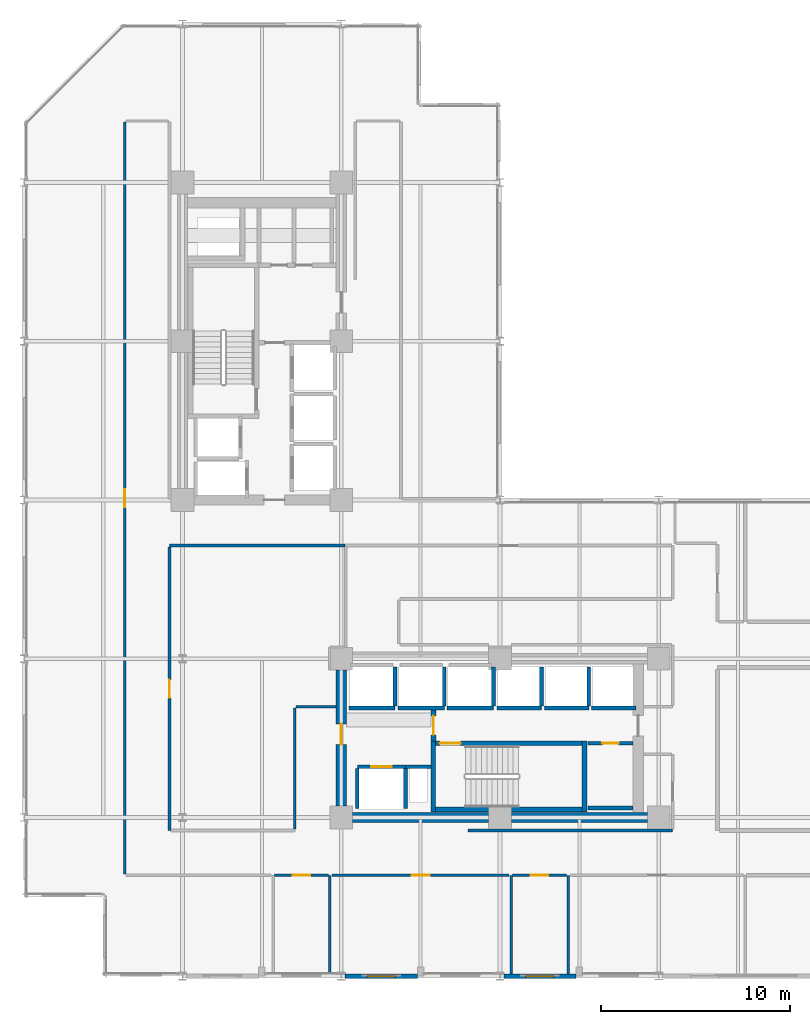
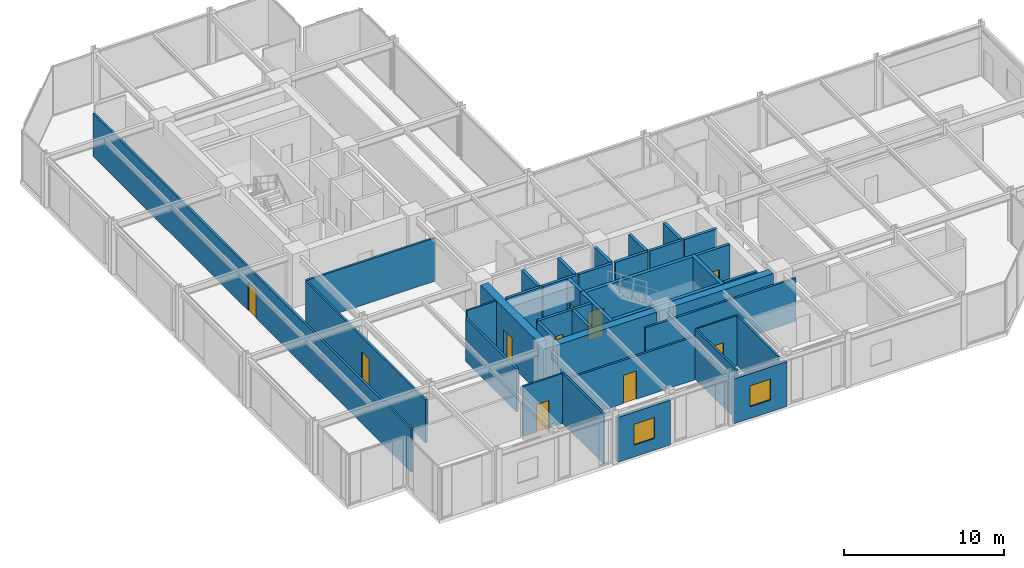
# One storey, part 32 of 38: 39 walls, 10 doors, 2 windows, 12 openings.
"""IFC4 building model written with IfcOpenShell, lengths in metres."""

import ifcopenshell
import ifcopenshell.guid

model = None  # the IFC model being written
_history = None  # IfcOwnerHistory: only IFC2X3 demands one
_inside = {}  # id of a spatial element -> (the spatial element, [elements in it])
_under = {}  # id of a project, library or spatial element -> (it, [spatial elements below it])
_declared = {}  # id of a project -> (the project, [libraries it declares])
_typed = {}  # id of a type object -> (the type object, [elements of that type])
_made_of = {}  # id of a material, layer set ... -> (it, [elements and type objects made of it])


def new_model(schema):
    """Start an empty IFC model of exactly this schema.

    Asked for "IFC4X3", IfcOpenShell would pick the latest addendum, in which some entities
    have other attributes; the version numbers below select the first issue.
    IFC2X3 requires an IfcOwnerHistory on every rooted entity: one is made here for all.
    """
    global model, _history
    if schema == "IFC4X3":
        model = ifcopenshell.file(schema_version=(4, 3, 0, 0))
    else:
        model = ifcopenshell.file(schema=schema)
    _inside.clear()
    _under.clear()
    _declared.clear()
    _typed.clear()
    _made_of.clear()
    _history = None
    if model.schema == "IFC2X3":
        org = make("IfcOrganization", Name="unknown")
        user = make(
            "IfcPersonAndOrganization",
            ThePerson=make("IfcPerson", FamilyName="unknown"),
            TheOrganization=org,
        )
        app = make(
            "IfcApplication",
            ApplicationDeveloper=org,
            Version="unknown",
            ApplicationFullName="unknown",
            ApplicationIdentifier="unknown",
        )
        _history = make(
            "IfcOwnerHistory",
            OwningUser=user,
            OwningApplication=app,
            ChangeAction="ADDED",
            CreationDate=0,
        )
    return model


def make(cls, **values):
    """One entity of the class cls with the attributes given. An attribute that is None is left unset."""
    return model.create_entity(
        cls, **{name: value for name, value in values.items() if value is not None}
    )


def rooted(cls, **values):
    """An entity with a GlobalId (a new one), such as an element, a storey or a relation."""
    return make(cls, GlobalId=ifcopenshell.guid.new(), OwnerHistory=_history, **values)


def si_unit(unit_type, name, prefix=None):
    """IfcSIUnit, for example si_unit("LENGTHUNIT", "METRE", prefix="MILLI")."""
    return make("IfcSIUnit", UnitType=unit_type, Prefix=prefix, Name=name)


def assignment(units):
    """IfcUnitAssignment: the units of a project."""
    return None if units is None else make("IfcUnitAssignment", Units=units)


def point(xyz):
    """IfcCartesianPoint."""
    return None if xyz is None else make("IfcCartesianPoint", Coordinates=xyz)


def direction(xyz):
    """IfcDirection."""
    return None if xyz is None else make("IfcDirection", DirectionRatios=xyz)


def frame(location, z_axis=None, x_axis=None):
    """IfcAxis2Placement3D, a coordinate frame: its origin and axes. An axis left out is left unset."""
    return make(
        "IfcAxis2Placement3D",
        Location=point(location),
        Axis=direction(z_axis),
        RefDirection=direction(x_axis),
    )


def frame_2d(location, x_axis=None):
    """IfcAxis2Placement2D, a coordinate frame in the plane: its origin and x axis."""
    return make(
        "IfcAxis2Placement2D", Location=point(location), RefDirection=direction(x_axis)
    )


def origin():
    """The frame at (0, 0, 0) with its axes left unset."""
    return frame((0.0, 0.0, 0.0))


def place(relative_to, where):
    """IfcLocalPlacement: puts the frame where relative to a parent placement (None: the world)."""
    return make(
        "IfcLocalPlacement", PlacementRelTo=relative_to, RelativePlacement=where
    )


def context(
    kind, dimensions, precision=None, world=None, true_north=None, identifier=None
):
    """IfcGeometricRepresentationContext, for example the 3D "Model" context."""
    return make(
        "IfcGeometricRepresentationContext",
        ContextIdentifier=identifier,
        ContextType=kind,
        CoordinateSpaceDimension=dimensions,
        Precision=precision,
        WorldCoordinateSystem=world,
        TrueNorth=true_north,
    )


def subcontext(parent, identifier, kind, view, scale=None):
    """IfcGeometricRepresentationSubContext, for example "Body" below "Model"."""
    return make(
        "IfcGeometricRepresentationSubContext",
        ContextIdentifier=identifier,
        ContextType=kind,
        ParentContext=parent,
        TargetScale=scale,
        TargetView=view,
    )


def project(units=None, contexts=None):
    """IfcProject with its units and contexts."""
    return rooted(
        "IfcProject",
        Name="project",
        RepresentationContexts=contexts,
        UnitsInContext=assignment(units),
    )


def spatial(cls, under=None, at=None, **own):
    """A site, building, storey or space (cls), placed at a placement, below another one or the project."""
    s = rooted(cls, ObjectPlacement=at, **own)
    if under is not None:
        _under.setdefault(under.id(), (under, []))[1].append(s)
    return s


def profile(cls, at=None, kind="AREA", **sizes):
    """A parametric profile (cls). Its sizes go by their IFC names, for example OverallWidth=200.0."""
    return make(cls, ProfileType=kind, Position=at, **sizes)


def rectangle(**sizes):
    """IfcRectangleProfileDef."""
    return profile("IfcRectangleProfileDef", **sizes)


def extrude(swept, where, along, depth):
    """IfcExtrudedAreaSolid: the profile swept, set in the frame where, extruded along a direction by depth."""
    return make(
        "IfcExtrudedAreaSolid",
        SweptArea=swept,
        Position=where,
        ExtrudedDirection=direction(along),
        Depth=depth,
    )


def shape(context_of_items, identifier, shape_type, items):
    """IfcShapeRepresentation: the items that make up one representation, for example the "Body"."""
    return make(
        "IfcShapeRepresentation",
        ContextOfItems=context_of_items,
        RepresentationIdentifier=identifier,
        RepresentationType=shape_type,
        Items=items,
    )


def material(Name=None, Category=None):
    """IfcMaterial."""
    return make("IfcMaterial", Name=Name, Category=Category)


def layer(
    of_material, thickness, ventilated=None, Name=None, Category=None, Priority=None
):
    """IfcMaterialLayer: one layer of a wall or slab, of a material (None: an air gap)."""
    return make(
        "IfcMaterialLayer",
        Material=of_material,
        LayerThickness=thickness,
        IsVentilated=ventilated,
        Name=Name,
        Category=Category,
        Priority=Priority,
    )


def layer_set(layers, Name=None):
    """IfcMaterialLayerSet."""
    return make("IfcMaterialLayerSet", MaterialLayers=layers, LayerSetName=Name)


def made_of(thing, what):
    """Note that an element or type object is made of a material, layer set ...; save() writes the relation."""
    if what is not None:
        _made_of.setdefault(what.id(), (what, []))[1].append(thing)
    return thing


def type_object(cls, material=None, **own):
    """A type object (cls), such as IfcWallType, which elements share."""
    return made_of(rooted(cls, **own), material)


def element(
    cls,
    number,
    at=None,
    inside=None,
    cuts=None,
    type_object=None,
    material=None,
    context=None,
    identifier="Body",
    shape_type=None,
    held_by="IfcProductDefinitionShape",
    body=None,
    shapes=None,
    **own,
):
    """One element of the class cls, such as IfcWall. Its Tag is "e" and its number.

    at: its placement. inside: the storey or other place that contains it. cuts: it is an
    opening in that element (IfcRelVoidsElement). A single representation is given by context,
    identifier, shape_type and body (its items); several are given by shapes. held_by: the class
    of the entity that holds the representations. save() writes the other relations.
    """
    e = rooted(cls, Tag="e%d" % number, ObjectPlacement=at, **own)
    if body is not None:
        shapes = [shape(context, identifier, shape_type, body)]
    if shapes is not None:
        e.Representation = make(held_by, Representations=shapes)
    if inside is not None:
        _inside.setdefault(inside.id(), (inside, []))[1].append(e)
    if cuts is not None:
        rooted(
            "IfcRelVoidsElement", RelatingBuildingElement=cuts, RelatedOpeningElement=e
        )
    if type_object is not None:
        _typed.setdefault(type_object.id(), (type_object, []))[1].append(e)
    return made_of(e, material)


def fill(opening, filler):
    """IfcRelFillsElement: the door or window that sits in an opening."""
    return rooted(
        "IfcRelFillsElement",
        RelatingOpeningElement=opening,
        RelatedBuildingElement=filler,
    )


def aggregate(whole, parts):
    """IfcRelAggregates: a whole, such as a stair, and the parts it consists of."""
    return rooted("IfcRelAggregates", RelatingObject=whole, RelatedObjects=parts)


def save(model, path):
    """Write the relations noted so far, then the file.

    IfcRelAggregates (storeys below a building ...), IfcRelContainedInSpatialStructure (elements
    in a storey), IfcRelDefinesByType, IfcRelAssociatesMaterial and IfcRelDeclares: one each for
    every whole, place, type object, material and project.
    """
    for whole, parts in _under.values():
        aggregate(whole, parts)
    for where, things in _inside.values():
        rooted(
            "IfcRelContainedInSpatialStructure",
            RelatedElements=things,
            RelatingStructure=where,
        )
    for kind, things in _typed.values():
        rooted("IfcRelDefinesByType", RelatedObjects=things, RelatingType=kind)
    for what, things in _made_of.values():
        rooted("IfcRelAssociatesMaterial", RelatedObjects=things, RelatingMaterial=what)
    for by, libraries in _declared.values():
        rooted("IfcRelDeclares", RelatingContext=by, RelatedDefinitions=libraries)
    model.write(path)


model = new_model("IFC4")

# Units and contexts
model_context = context("Model", 3, precision=1e-05, world=origin(), true_north=direction((0.0, 1.0)))
body_context = subcontext(model_context, "Body", "Model", "MODEL_VIEW")
ifc_project = project(units=[si_unit("LENGTHUNIT", "METRE"), si_unit("AREAUNIT", "SQUARE_METRE"), si_unit("VOLUMEUNIT", "CUBIC_METRE"), si_unit("PLANEANGLEUNIT", "RADIAN"), si_unit("MASSUNIT", "GRAM", prefix="KILO")], contexts=[model_context])

# Site, building, storey
site_placement = place(None, origin())
site = spatial("IfcSite", under=ifc_project, at=site_placement, CompositionType="ELEMENT")
building_placement = place(site_placement, origin())
building = spatial("IfcBuilding", under=site, at=building_placement, Name="Nerrivon Quay Data Exchange", CompositionType="ELEMENT")
storey_placement = place(building_placement, frame((0.0, 0.0, 84.39990234375)))
storey = spatial("IfcBuildingStorey", under=building, at=storey_placement, Name="L19", CompositionType="ELEMENT", Elevation=84.39990234375)

# Wall, opening, window
ifc_material_1 = material(Name="Architectural terracotta precast concrete N50 (50 MPa)", Category="masonry")
ifc_layer_1 = layer(ifc_material_1, 0.239990234375)
ifc_layer_set_1 = layer_set([ifc_layer_1], Name="Architectural terracotta precast concrete N50 (50 MPa)")
wall_type_1 = type_object("IfcWallType", Name="EW-PREC-240", PredefinedType="STANDARD", material=ifc_layer_set_1)
wall_1_placement = place(storey_placement, frame((29.22509765625, 0.0, 0.0), z_axis=(0.0, 0.0, 1.0), x_axis=(-1.0, 0.0, 0.0)))
wall_1 = element("IfcWall", 1, at=wall_1_placement, inside=storey, type_object=wall_type_1, Name="L19 Podium Precast Spandrel Wall 9", PredefinedType="STANDARD", context=body_context, shape_type="SweptSolid", body=[
    extrude(rectangle(XDim=3.8251953125, YDim=0.239990234375, at=frame_2d((1.91259765625, 0.0))), origin(), (0.0, 0.0, 1.0), 3.422119140625),
])
opening_1_placement = place(wall_1_placement, frame((1.175048828125, 0.0, 0.89990234375)))
opening_1 = element("IfcOpeningElement", 2, at=opening_1_placement, cuts=wall_1, Name="Opening WN4", PredefinedType="OPENING", context=body_context, shape_type="SweptSolid", body=[
    extrude(rectangle(XDim=1.5, YDim=1.60009765625, at=frame_2d((0.75, 0.800048828125))), frame((0.0, 0.1298828125, 0.0), z_axis=(0.0, -1.0, 0.0), x_axis=(1.0, 0.0, 0.0)), (0.0, 0.0, 1.0), 0.260009765625),
])
ifc_material_2 = material(Name="Double-glazed low-E solar control glass", Category="glass")
window_type = type_object("IfcWindowType", Name="WIN-W4-1500x1600", PartitioningType="SINGLE_PANEL", PredefinedType="WINDOW", material=ifc_material_2)
window_1_placement = place(opening_1_placement, origin())
window_1 = element("IfcWindow", 3, at=window_1_placement, inside=storey, type_object=window_type, Name="L19 Solar Facade Window 9", OverallHeight=1.60009765625, OverallWidth=1.5, PartitioningType="SINGLE_PANEL", PredefinedType="WINDOW", context=body_context, shape_type="SweptSolid", body=[
    extrude(rectangle(XDim=1.5, YDim=1.60009765625, at=frame_2d((0.75, 0.800048828125))), frame((0.0, 0.030029296875, 0.0), z_axis=(0.0, -1.0, 0.0), x_axis=(1.0, 0.0, 0.0)), (0.0, 0.0, 1.0), 0.06005859375),
])
fill(opening_1, window_1)

wall_2_placement = place(storey_placement, frame((20.824951171875, 0.0, 0.0), z_axis=(0.0, 0.0, 1.0), x_axis=(-1.0, 0.0, 0.0)))
wall_2 = element("IfcWall", 4, at=wall_2_placement, inside=storey, type_object=wall_type_1, Name="L19 Podium Precast Spandrel Wall 11", PredefinedType="STANDARD", context=body_context, shape_type="SweptSolid", body=[
    extrude(rectangle(XDim=3.824951171875, YDim=0.239990234375, at=frame_2d((1.91259765625, 0.0))), origin(), (0.0, 0.0, 1.0), 3.422119140625),
])
opening_2_placement = place(wall_2_placement, frame((1.16259765625, 0.0, 0.89990234375)))
opening_2 = element("IfcOpeningElement", 5, at=opening_2_placement, cuts=wall_2, Name="Opening WN4", PredefinedType="OPENING", context=body_context, shape_type="SweptSolid", body=[
    extrude(rectangle(XDim=1.5, YDim=1.60009765625, at=frame_2d((0.75, 0.800048828125))), frame((0.0, 0.1298828125, 0.0), z_axis=(0.0, -1.0, 0.0), x_axis=(1.0, 0.0, 0.0)), (0.0, 0.0, 1.0), 0.260009765625),
])
window_2_placement = place(opening_2_placement, origin())
window_2 = element("IfcWindow", 6, at=window_2_placement, inside=storey, type_object=window_type, Name="L19 Solar Facade Window 11", OverallHeight=1.60009765625, OverallWidth=1.5, PartitioningType="SINGLE_PANEL", PredefinedType="WINDOW", context=body_context, shape_type="SweptSolid", body=[
    extrude(rectangle(XDim=1.5, YDim=1.60009765625, at=frame_2d((0.75, 0.800048828125))), frame((0.0, 0.030029296875, 0.0), z_axis=(0.0, -1.0, 0.0), x_axis=(1.0, 0.0, 0.0)), (0.0, 0.0, 1.0), 0.06005859375),
])
fill(opening_2, window_2)

# Walls
ifc_material_3 = material(Name="Concrete S65 (65 MPa)", Category="concrete")
ifc_layer_2 = layer(ifc_material_3, 0.550048828125)
ifc_layer_set_2 = layer_set([ifc_layer_2], Name="Concrete S65 (65 MPa)")
wall_type_2 = type_object("IfcWallType", Name="WALL-CW-700", PredefinedType="SHEAR", material=ifc_layer_set_2)
wall_3_placement = place(storey_placement, frame((17.39990234375, 8.39990234375, 0.0), z_axis=(0.0, 0.0, 1.0), x_axis=(1.0, 0.0, 0.0)))
element("IfcWall", 7, at=wall_3_placement, inside=storey, type_object=wall_type_2, Name="L19 East Split-Core Shear Wall ECW-S1", PredefinedType="SHEAR", context=body_context, shape_type="SweptSolid", body=[
    extrude(rectangle(XDim=7.2001953125, YDim=0.550048828125, at=frame_2d((3.60009765625, 0.0))), origin(), (0.0, 0.0, 1.0), 3.8251953125),
])
wall_4_placement = place(storey_placement, frame((25.800048828125, 8.39990234375, 0.0), z_axis=(0.0, 0.0, 1.0), x_axis=(1.0, 0.0, 0.0)))
element("IfcWall", 8, at=wall_4_placement, inside=storey, type_object=wall_type_2, Name="L19 East Split-Core Shear Wall ECW-S2", PredefinedType="SHEAR", context=body_context, shape_type="SweptSolid", body=[
    extrude(rectangle(XDim=7.199951171875, YDim=0.550048828125, at=frame_2d((3.60009765625, 0.0))), origin(), (0.0, 0.0, 1.0), 3.8251953125),
])

# Wall, opening, door
wall_5_placement = place(storey_placement, frame((16.800048828125, 9.0, 0.0), z_axis=(0.0, 0.0, 1.0), x_axis=(0.0, 1.0, 0.0)))
wall_5 = element("IfcWall", 9, at=wall_5_placement, inside=storey, type_object=wall_type_2, Name="L19 East Split-Core Shear Wall ECW-W1", PredefinedType="SHEAR", context=body_context, shape_type="SweptSolid", body=[
    extrude(rectangle(XDim=7.199951171875, YDim=0.550048828125, at=frame_2d((3.60009765625, 0.0))), origin(), (0.0, 0.0, 1.0), 3.8251953125),
])
opening_3_placement = place(wall_5_placement, frame((3.25, 0.0, 0.0)))
opening_3 = element("IfcOpeningElement", 10, at=opening_3_placement, cuts=wall_5, Name="Opening FD-120", PredefinedType="OPENING", context=body_context, shape_type="SweptSolid", body=[
    extrude(rectangle(XDim=1.10009765625, YDim=2.14990234375, at=frame_2d((0.550048828125, 1.074951171875))), frame((0.0, 0.284912109375, 0.0), z_axis=(0.0, -1.0, 0.0), x_axis=(1.0, 0.0, 0.0)), (0.0, 0.0, 1.0), 0.570068359375),
])
ifc_material_4 = material(Name="Powder-coated galvanized steel sheet", Category="steel")
door_type_1 = type_object("IfcDoorType", Name="DR-FD120-1100", OperationType="NOTDEFINED", PredefinedType="DOOR", material=ifc_material_4)
door_1_placement = place(opening_3_placement, origin())
door_1 = element("IfcDoor", 11, at=door_1_placement, inside=storey, type_object=door_type_1, Name="L19 East Core Lobby Fire Door", OperationType="SINGLE_SWING_LEFT", OverallHeight=2.14990234375, OverallWidth=1.10009765625, PredefinedType="DOOR", context=body_context, shape_type="SweptSolid", body=[
    extrude(rectangle(XDim=1.10009765625, YDim=2.14990234375, at=frame_2d((0.550048828125, 1.074951171875))), frame((0.0, 0.02490234375, 0.0), z_axis=(0.0, -1.0, 0.0), x_axis=(1.0, 0.0, 0.0)), (0.0, 0.0, 1.0), 0.050048828125),
])
fill(opening_3, door_1)

# Wall
ifc_material_5 = material(Name="Gypsum plasterboard on cold-formed framing", Category="gypsum")
ifc_layer_3 = layer(ifc_material_5, 0.199951171875)
ifc_layer_set_3 = layer_set([ifc_layer_3], Name="Gypsum plasterboard on cold-formed framing")
wall_type_3 = type_object("IfcWallType", Name="WALL-FW-200", PredefinedType="PARTITIONING", material=ifc_layer_set_3)
wall_6_placement = place(storey_placement, frame((20.199951171875, 11.080078125, 0.0), z_axis=(0.0, 0.0, 1.0), x_axis=(1.0, 0.0, 0.0)))
element("IfcWall", 12, at=wall_6_placement, inside=storey, type_object=wall_type_3, Name="L19 East Core MEP Riser Shaft Wall N", PredefinedType="PARTITIONING", context=body_context, shape_type="SweptSolid", body=[
    extrude(rectangle(XDim=1.35009765625, YDim=0.199951171875, at=frame_2d((0.675048828125, 0.0))), origin(), (0.0, 0.0, 1.0), 3.8251953125),
])

# Wall, opening, door
wall_7_placement = place(storey_placement, frame((17.64990234375, 11.080078125, 0.0), z_axis=(0.0, 0.0, 1.0), x_axis=(1.0, 0.0, 0.0)))
wall_7 = element("IfcWall", 13, at=wall_7_placement, inside=storey, type_object=wall_type_3, Name="L19 Lift Front Wall FFL-2", PredefinedType="PARTITIONING", context=body_context, shape_type="SweptSolid", body=[
    extrude(rectangle(XDim=2.550048828125, YDim=0.199951171875, at=frame_2d((1.27490234375, 0.0))), origin(), (0.0, 0.0, 1.0), 3.8251953125),
])
opening_4_placement = place(wall_7_placement, frame((0.72509765625, 0.0, 0.0)))
opening_4 = element("IfcOpeningElement", 14, at=opening_4_placement, cuts=wall_7, Name="Opening LD-120", PredefinedType="OPENING", context=body_context, shape_type="SweptSolid", body=[
    extrude(rectangle(XDim=1.10009765625, YDim=2.199951171875, at=frame_2d((0.550048828125, 1.10009765625))), frame((0.0, 0.10986328125, 0.0), z_axis=(0.0, -1.0, 0.0), x_axis=(1.0, 0.0, 0.0)), (0.0, 0.0, 1.0), 0.219970703125),
])
door_type_2 = type_object("IfcDoorType", Name="DR-LIFT-LD120", OperationType="DOUBLE_DOOR_SLIDING", PredefinedType="DOOR", material=ifc_material_4)
door_2_placement = place(opening_4_placement, origin())
door_2 = element("IfcDoor", 15, at=door_2_placement, inside=storey, type_object=door_type_2, Name="L19 Lift Landing Sliding Door FFL-2", OperationType="DOUBLE_DOOR_SLIDING", OverallHeight=2.199951171875, OverallWidth=1.10009765625, PredefinedType="DOOR", context=body_context, shape_type="SweptSolid", body=[
    extrude(rectangle(XDim=1.10009765625, YDim=2.199951171875, at=frame_2d((0.550048828125, 1.10009765625))), frame((0.0, 0.02490234375, 0.0), z_axis=(0.0, -1.0, 0.0), x_axis=(1.0, 0.0, 0.0)), (0.0, 0.0, 1.0), 0.050048828125),
])
fill(opening_4, door_2)

# Walls
for number, where, z_axis, x_axis, name in (
    (16, (20.199951171875, 8.8798828125, 0.0), (0.0, 0.0, 1.0), (0.0, 1.0, 0.0), "L19 Lift Shaft Wall FFL-2 EAST"),
    (17, (17.64990234375, 8.8798828125, 0.0), (0.0, 0.0, 1.0), (0.0, 1.0, 0.0), "L19 Lift Shaft Wall FFL-2 WEST"),
):
    element("IfcWall", number, at=place(storey_placement, frame(where, z_axis=z_axis, x_axis=x_axis)), inside=storey, type_object=wall_type_3, Name=name, PredefinedType="PARTITIONING", context=body_context, shape_type="SweptSolid", body=[
        extrude(rectangle(XDim=2.10009765625, YDim=0.199951171875, at=frame_2d((1.050048828125, 0.0))), origin(), (0.0, 0.0, 1.0), 3.8251953125),
    ])
wall_8_placement = place(storey_placement, frame((17.199951171875, 14.199951171875, 0.0), z_axis=(0.0, 0.0, 1.0), x_axis=(1.0, 0.0, 0.0)))
element("IfcWall", 18, at=wall_8_placement, inside=storey, type_object=wall_type_3, Name="L19 Lift Front Wall PL4", PredefinedType="PARTITIONING", context=body_context, shape_type="SweptSolid", body=[
    extrude(rectangle(XDim=2.449951171875, YDim=0.199951171875, at=frame_2d((1.22509765625, 0.0))), origin(), (0.0, 0.0, 1.0), 3.8251953125),
])
wall_9_placement = place(storey_placement, frame((19.64990234375, 14.300048828125, 0.0), z_axis=(0.0, 0.0, 1.0), x_axis=(0.0, 1.0, 0.0)))
element("IfcWall", 19, at=wall_9_placement, inside=storey, type_object=wall_type_3, Name="L19 Lift Shaft Wall PL4 EAST", PredefinedType="PARTITIONING", context=body_context, shape_type="SweptSolid", body=[
    extrude(rectangle(XDim=2.050048828125, YDim=0.199951171875, at=frame_2d((1.02490234375, 0.0))), origin(), (0.0, 0.0, 1.0), 3.8251953125),
])
wall_10_placement = place(storey_placement, frame((19.800048828125, 14.199951171875, 0.0), z_axis=(0.0, 0.0, 1.0), x_axis=(1.0, 0.0, 0.0)))
element("IfcWall", 20, at=wall_10_placement, inside=storey, type_object=wall_type_3, Name="L19 Lift Front Wall PL5", PredefinedType="PARTITIONING", context=body_context, shape_type="SweptSolid", body=[
    extrude(rectangle(XDim=2.449951171875, YDim=0.199951171875, at=frame_2d((1.22509765625, 0.0))), origin(), (0.0, 0.0, 1.0), 3.8251953125),
])
wall_11_placement = place(storey_placement, frame((22.25, 14.300048828125, 0.0), z_axis=(0.0, 0.0, 1.0), x_axis=(0.0, 1.0, 0.0)))
element("IfcWall", 21, at=wall_11_placement, inside=storey, type_object=wall_type_3, Name="L19 Lift Shaft Wall PL5 EAST", PredefinedType="PARTITIONING", context=body_context, shape_type="SweptSolid", body=[
    extrude(rectangle(XDim=2.050048828125, YDim=0.199951171875, at=frame_2d((1.02490234375, 0.0))), origin(), (0.0, 0.0, 1.0), 3.8251953125),
])
wall_12_placement = place(storey_placement, frame((22.39990234375, 14.199951171875, 0.0), z_axis=(0.0, 0.0, 1.0), x_axis=(1.0, 0.0, 0.0)))
element("IfcWall", 22, at=wall_12_placement, inside=storey, type_object=wall_type_3, Name="L19 Lift Front Wall PL6", PredefinedType="PARTITIONING", context=body_context, shape_type="SweptSolid", body=[
    extrude(rectangle(XDim=2.4501953125, YDim=0.199951171875, at=frame_2d((1.22509765625, 0.0))), origin(), (0.0, 0.0, 1.0), 3.8251953125),
])
wall_13_placement = place(storey_placement, frame((24.85009765625, 14.300048828125, 0.0), z_axis=(0.0, 0.0, 1.0), x_axis=(0.0, 1.0, 0.0)))
element("IfcWall", 23, at=wall_13_placement, inside=storey, type_object=wall_type_3, Name="L19 Lift Shaft Wall PL6 EAST", PredefinedType="PARTITIONING", context=body_context, shape_type="SweptSolid", body=[
    extrude(rectangle(XDim=2.050048828125, YDim=0.199951171875, at=frame_2d((1.02490234375, 0.0))), origin(), (0.0, 0.0, 1.0), 3.8251953125),
])
wall_14_placement = place(storey_placement, frame((25.050048828125, 14.199951171875, 0.0), z_axis=(0.0, 0.0, 1.0), x_axis=(1.0, 0.0, 0.0)))
element("IfcWall", 24, at=wall_14_placement, inside=storey, type_object=wall_type_3, Name="L19 Lift Front Wall PL7", PredefinedType="PARTITIONING", context=body_context, shape_type="SweptSolid", body=[
    extrude(rectangle(XDim=2.349853515625, YDim=0.199951171875, at=frame_2d((1.1748046875, 0.0))), origin(), (0.0, 0.0, 1.0), 3.8251953125),
])
wall_15_placement = place(storey_placement, frame((27.39990234375, 14.300048828125, 0.0), z_axis=(0.0, 0.0, 1.0), x_axis=(0.0, 1.0, 0.0)))
element("IfcWall", 25, at=wall_15_placement, inside=storey, type_object=wall_type_3, Name="L19 Lift Shaft Wall PL7 EAST", PredefinedType="PARTITIONING", context=body_context, shape_type="SweptSolid", body=[
    extrude(rectangle(XDim=2.050048828125, YDim=0.199951171875, at=frame_2d((1.02490234375, 0.0))), origin(), (0.0, 0.0, 1.0), 3.8251953125),
])
wall_16_placement = place(storey_placement, frame((27.550048828125, 14.199951171875, 0.0), z_axis=(0.0, 0.0, 1.0), x_axis=(1.0, 0.0, 0.0)))
element("IfcWall", 26, at=wall_16_placement, inside=storey, type_object=wall_type_3, Name="L19 Lift Front Wall PL8", PredefinedType="PARTITIONING", context=body_context, shape_type="SweptSolid", body=[
    extrude(rectangle(XDim=2.349853515625, YDim=0.199951171875, at=frame_2d((1.1748046875, 0.0))), origin(), (0.0, 0.0, 1.0), 3.8251953125),
])
wall_17_placement = place(storey_placement, frame((29.89990234375, 14.300048828125, 0.0), z_axis=(0.0, 0.0, 1.0), x_axis=(0.0, 1.0, 0.0)))
element("IfcWall", 27, at=wall_17_placement, inside=storey, type_object=wall_type_3, Name="L19 Lift Shaft Wall PL8 EAST", PredefinedType="PARTITIONING", context=body_context, shape_type="SweptSolid", body=[
    extrude(rectangle(XDim=2.050048828125, YDim=0.199951171875, at=frame_2d((1.02490234375, 0.0))), origin(), (0.0, 0.0, 1.0), 3.8251953125),
])
wall_18_placement = place(storey_placement, frame((30.050048828125, 14.199951171875, 0.0), z_axis=(0.0, 0.0, 1.0), x_axis=(1.0, 0.0, 0.0)))
element("IfcWall", 28, at=wall_18_placement, inside=storey, type_object=wall_type_3, Name="L19 Lift Front Wall PL9", PredefinedType="PARTITIONING", context=body_context, shape_type="SweptSolid", body=[
    extrude(rectangle(XDim=2.349853515625, YDim=0.199951171875, at=frame_2d((1.1748046875, 0.0))), origin(), (0.0, 0.0, 1.0), 3.8251953125),
])

# Wall, opening, door
wall_19_placement = place(storey_placement, frame((32.24609375, 12.330078125, 0.0), z_axis=(0.0, 0.0, 1.0), x_axis=(-1.0, 0.0, 0.0)))
wall_19 = element("IfcWall", 29, at=wall_19_placement, inside=storey, type_object=wall_type_3, Name="L19 Partition East Supply Store", PredefinedType="PARTITIONING", context=body_context, shape_type="SweptSolid", body=[
    extrude(rectangle(XDim=2.39599609375, YDim=0.199951171875, at=frame_2d((1.197998046875, 0.0))), origin(), (0.0, 0.0, 1.0), 3.8251953125),
])
opening_5_placement = place(wall_19_placement, frame((0.77294921875, 0.0, 0.0)))
opening_5 = element("IfcOpeningElement", 30, at=opening_5_placement, cuts=wall_19, Name="Opening FD-60S", PredefinedType="OPENING", context=body_context, shape_type="SweptSolid", body=[
    extrude(rectangle(XDim=0.85009765625, YDim=2.14990234375, at=frame_2d((0.425048828125, 1.074951171875))), frame((0.0, 0.10986328125, 0.0), z_axis=(0.0, -1.0, 0.0), x_axis=(1.0, 0.0, 0.0)), (0.0, 0.0, 1.0), 0.219970703125),
])
ifc_material_6 = material(Name="Engineered hardwood timber", Category="wood")
door_type_3 = type_object("IfcDoorType", Name="DR-FD60-850", OperationType="NOTDEFINED", PredefinedType="DOOR", material=ifc_material_6)
door_3_placement = place(opening_5_placement, origin())
door_3 = element("IfcDoor", 31, at=door_3_placement, inside=storey, type_object=door_type_3, Name="L19 Door East Supply Store", OperationType="SINGLE_SWING_RIGHT", OverallHeight=2.14990234375, OverallWidth=0.85009765625, PredefinedType="DOOR", context=body_context, shape_type="SweptSolid", body=[
    extrude(rectangle(XDim=0.85009765625, YDim=2.14990234375, at=frame_2d((0.425048828125, 1.074951171875))), frame((0.0, 0.02490234375, 0.0), z_axis=(0.0, -1.0, 0.0), x_axis=(1.0, 0.0, 0.0)), (0.0, 0.0, 1.0), 0.050048828125),
])
fill(opening_5, door_3)

# Wall
wall_20_placement = place(storey_placement, frame((29.85009765625, 8.89990234375, 0.0), z_axis=(0.0, 0.0, 1.0), x_axis=(1.0, 0.0, 0.0)))
element("IfcWall", 32, at=wall_20_placement, inside=storey, type_object=wall_type_3, Name="L19 Partition East Supply Store", PredefinedType="PARTITIONING", context=body_context, shape_type="SweptSolid", body=[
    extrude(rectangle(XDim=2.39599609375, YDim=0.199951171875, at=frame_2d((1.197998046875, 0.0))), origin(), (0.0, 0.0, 1.0), 3.8251953125),
])

# Wall, opening, door
ifc_layer_4 = layer(ifc_material_5, 0.1201171875)
ifc_layer_set_4 = layer_set([ifc_layer_4], Name="Gypsum plasterboard on cold-formed framing")
wall_type_4 = type_object("IfcWallType", Name="WALL-PT-120", PredefinedType="PARTITIONING", material=ifc_layer_set_4)
wall_21_placement = place(storey_placement, frame((16.12841796875, 5.340087890625, 0.0), z_axis=(0.0, 0.0, 1.0), x_axis=(-1.0, 0.0, 0.0)))
wall_21 = element("IfcWall", 33, at=wall_21_placement, inside=storey, type_object=wall_type_4, Name="L19 Partition Accessible Toilet", PredefinedType="PARTITIONING", context=body_context, shape_type="SweptSolid", body=[
    extrude(rectangle(XDim=2.85693359375, YDim=0.1201171875, at=frame_2d((1.428466796875, 0.0))), origin(), (0.0, 0.0, 1.0), 3.8251953125),
])
opening_6_placement = place(wall_21_placement, frame((0.968505859375, 0.0, 0.0)))
opening_6 = element("IfcOpeningElement", 34, at=opening_6_placement, cuts=wall_21, Name="Opening D-WC", PredefinedType="OPENING", context=body_context, shape_type="SweptSolid", body=[
    extrude(rectangle(XDim=0.919921875, YDim=2.10009765625, at=frame_2d((0.4599609375, 1.050048828125))), frame((0.0, 0.070068359375, 0.0), z_axis=(0.0, -1.0, 0.0), x_axis=(1.0, 0.0, 0.0)), (0.0, 0.0, 1.0), 0.14013671875),
])
door_type_4 = type_object("IfcDoorType", Name="DR-WC-920", OperationType="NOTDEFINED", PredefinedType="DOOR", material=ifc_material_6)
door_4_placement = place(opening_6_placement, origin())
door_4 = element("IfcDoor", 35, at=door_4_placement, inside=storey, type_object=door_type_4, Name="L19 Door Accessible Toilet", OperationType="SINGLE_SWING_LEFT", OverallHeight=2.10009765625, OverallWidth=0.919921875, PredefinedType="DOOR", context=body_context, shape_type="SweptSolid", body=[
    extrude(rectangle(XDim=0.919921875, YDim=2.10009765625, at=frame_2d((0.4599609375, 1.050048828125))), frame((0.0, 0.02490234375, 0.0), z_axis=(0.0, -1.0, 0.0), x_axis=(1.0, 0.0, 0.0)), (0.0, 0.0, 1.0), 0.050048828125),
])
fill(opening_6, door_4)

wall_22_placement = place(storey_placement, frame((28.728515625, 5.340087890625, 0.0), z_axis=(0.0, 0.0, 1.0), x_axis=(-1.0, 0.0, 0.0)))
wall_22 = element("IfcWall", 36, at=wall_22_placement, inside=storey, type_object=wall_type_4, Name="L19 Partition Public Washrooms", PredefinedType="PARTITIONING", context=body_context, shape_type="SweptSolid", body=[
    extrude(rectangle(XDim=2.85693359375, YDim=0.1201171875, at=frame_2d((1.428466796875, 0.0))), origin(), (0.0, 0.0, 1.0), 3.8251953125),
])
opening_7_placement = place(wall_22_placement, frame((0.968505859375, 0.0, 0.0)))
opening_7 = element("IfcOpeningElement", 37, at=opening_7_placement, cuts=wall_22, Name="Opening D-WC", PredefinedType="OPENING", context=body_context, shape_type="SweptSolid", body=[
    extrude(rectangle(XDim=0.919921875, YDim=2.10009765625, at=frame_2d((0.4599609375, 1.050048828125))), frame((0.0, 0.070068359375, 0.0), z_axis=(0.0, -1.0, 0.0), x_axis=(1.0, 0.0, 0.0)), (0.0, 0.0, 1.0), 0.14013671875),
])
door_5_placement = place(opening_7_placement, origin())
door_5 = element("IfcDoor", 38, at=door_5_placement, inside=storey, type_object=door_type_4, Name="L19 Door Public Washrooms", OperationType="SINGLE_SWING_RIGHT", OverallHeight=2.10009765625, OverallWidth=0.919921875, PredefinedType="DOOR", context=body_context, shape_type="SweptSolid", body=[
    extrude(rectangle(XDim=0.919921875, YDim=2.10009765625, at=frame_2d((0.4599609375, 1.050048828125))), frame((0.0, 0.02490234375, 0.0), z_axis=(0.0, -1.0, 0.0), x_axis=(1.0, 0.0, 0.0)), (0.0, 0.0, 1.0), 0.050048828125),
])
fill(opening_7, door_5)

# Walls
wall_23_placement = place(storey_placement, frame((14.39990234375, 14.260009765625, 0.0), z_axis=(0.0, 0.0, 1.0), x_axis=(1.0, 0.0, 0.0)))
element("IfcWall", 39, at=wall_23_placement, inside=storey, type_object=wall_type_4, Name="L19 Partition Cloud Compute Workspace 1", PredefinedType="PARTITIONING", context=body_context, shape_type="SweptSolid", body=[
    extrude(rectangle(XDim=2.12109375, YDim=0.1201171875, at=frame_2d((1.060546875, 0.0))), origin(), (0.0, 0.0, 1.0), 3.8251953125),
])
ifc_layer_5 = layer(ifc_material_5, 0.135009765625)
ifc_layer_set_5 = layer_set([ifc_layer_5], Name="Gypsum plasterboard on cold-formed framing")
wall_type_5 = type_object("IfcWallType", Name="WALL-PT-135", PredefinedType="PARTITIONING", material=ifc_layer_set_5)
wall_24_placement = place(storey_placement, frame((16.199951171875, 0.1689453125, 0.0), z_axis=(0.0, 0.0, 1.0), x_axis=(0.0, 1.0, 0.0)))
element("IfcWall", 40, at=wall_24_placement, inside=storey, type_object=wall_type_5, Name="L19 Partition Accessible Toilet", PredefinedType="PARTITIONING", context=body_context, shape_type="SweptSolid", body=[
    extrude(rectangle(XDim=5.171142578125, YDim=0.135009765625, at=frame_2d((2.58544921875, 0.0))), origin(), (0.0, 0.0, 1.0), 3.8251953125),
])
for number, where, z_axis, x_axis, name in (
    (41, (25.800048828125, 5.340087890625, 0.0), (0.0, 0.0, 1.0), (0.0, -1.0, 0.0), "L19 Partition Public Washrooms"),
    (42, (28.800048828125, 0.1240234375, 0.0), (0.0, 0.0, 1.0), (0.0, 1.0, 0.0), "L19 Partition Public Washrooms"),
):
    element("IfcWall", number, at=place(storey_placement, frame(where, z_axis=z_axis, x_axis=x_axis)), inside=storey, type_object=wall_type_5, Name=name, PredefinedType="PARTITIONING", context=body_context, shape_type="SweptSolid", body=[
        extrude(rectangle(XDim=5.216064453125, YDim=0.135009765625, at=frame_2d((2.60791015625, 0.0))), origin(), (0.0, 0.0, 1.0), 3.8251953125),
    ])
ifc_layer_6 = layer(ifc_material_5, 0.14990234375)
ifc_layer_set_6 = layer_set([ifc_layer_6], Name="Gypsum plasterboard on cold-formed framing")
wall_type_6 = type_object("IfcWallType", Name="WALL-PT-150", PredefinedType="PARTITIONING", material=ifc_layer_set_6)
wall_25_placement = place(storey_placement, frame((23.50244140625, 7.7099609375, 0.0), z_axis=(0.0, 0.0, 1.0), x_axis=(1.0, 0.0, 0.0)))
element("IfcWall", 43, at=wall_25_placement, inside=storey, type_object=wall_type_6, Name="L19 Partition Staff Pantry", PredefinedType="PARTITIONING", context=body_context, shape_type="SweptSolid", body=[
    extrude(rectangle(XDim=10.837646484375, YDim=0.14990234375, at=frame_2d((5.4189453125, 0.0))), origin(), (0.0, 0.0, 1.0), 3.297119140625),
])

# Wall, opening, door
wall_26_placement = place(storey_placement, frame((25.679931640625, 5.340087890625, 0.0), z_axis=(0.0, 0.0, 1.0), x_axis=(-1.0, 0.0, 0.0)))
wall_26 = element("IfcWall", 44, at=wall_26_placement, inside=storey, type_object=wall_type_6, Name="L19 Partition Mail and Crew Room", PredefinedType="PARTITIONING", context=body_context, shape_type="SweptSolid", body=[
    extrude(rectangle(XDim=9.35986328125, YDim=0.14990234375, at=frame_2d((4.679931640625, 0.0))), origin(), (0.0, 0.0, 1.0), 3.297119140625),
])
opening_8_placement = place(wall_26_placement, frame((4.205078125, 0.0, 0.0)))
opening_8 = element("IfcOpeningElement", 45, at=opening_8_placement, cuts=wall_26, Name="Opening D-01", PredefinedType="OPENING", context=body_context, shape_type="SweptSolid", body=[
    extrude(rectangle(XDim=0.949951171875, YDim=2.14990234375, at=frame_2d((0.47509765625, 1.074951171875))), frame((0.0, 0.0849609375, 0.0), z_axis=(0.0, -1.0, 0.0), x_axis=(1.0, 0.0, 0.0)), (0.0, 0.0, 1.0), 0.169921875),
])
door_type_5 = type_object("IfcDoorType", Name="DR-INT-950", OperationType="NOTDEFINED", PredefinedType="DOOR", material=ifc_material_6)
door_6_placement = place(opening_8_placement, origin())
door_6 = element("IfcDoor", 46, at=door_6_placement, inside=storey, type_object=door_type_5, Name="L19 Door Mail and Crew Room", OperationType="SINGLE_SWING_LEFT", OverallHeight=2.14990234375, OverallWidth=0.949951171875, PredefinedType="DOOR", context=body_context, shape_type="SweptSolid", body=[
    extrude(rectangle(XDim=0.949951171875, YDim=2.14990234375, at=frame_2d((0.47509765625, 1.074951171875))), frame((0.0, 0.02490234375, 0.0), z_axis=(0.0, -1.0, 0.0), x_axis=(1.0, 0.0, 0.0)), (0.0, 0.0, 1.0), 0.050048828125),
])
fill(opening_8, door_6)

# Wall
wall_27_placement = place(storey_placement, frame((17.010498046875, 22.7900390625, 0.0), z_axis=(0.0, 0.0, 1.0), x_axis=(-1.0, 0.0, 0.0)))
element("IfcWall", 47, at=wall_27_placement, inside=storey, type_object=wall_type_6, Name="L19 Partition Cloud Compute Workspace 1", PredefinedType="PARTITIONING", context=body_context, shape_type="SweptSolid", body=[
    extrude(rectangle(XDim=9.300537109375, YDim=0.14990234375, at=frame_2d((4.650390625, 0.0))), origin(), (0.0, 0.0, 1.0), 3.297119140625),
])

# Wall, opening, door
wall_28_placement = place(storey_placement, frame((7.7099609375, 22.7109375, 0.0), z_axis=(0.0, 0.0, 1.0), x_axis=(0.0, -1.0, 0.0)))
wall_28 = element("IfcWall", 48, at=wall_28_placement, inside=storey, type_object=wall_type_6, Name="L19 Partition Cloud Compute Workspace 1", PredefinedType="PARTITIONING", context=body_context, shape_type="SweptSolid", body=[
    extrude(rectangle(XDim=15.0009765625, YDim=0.14990234375, at=frame_2d((7.50048828125, 0.0))), origin(), (0.0, 0.0, 1.0), 3.2919921875),
])
opening_9_placement = place(wall_28_placement, frame((7.025390625, 0.0, 0.0)))
opening_9 = element("IfcOpeningElement", 49, at=opening_9_placement, cuts=wall_28, Name="Opening D-01", PredefinedType="OPENING", context=body_context, shape_type="SweptSolid", body=[
    extrude(rectangle(XDim=0.949951171875, YDim=2.14990234375, at=frame_2d((0.47509765625, 1.074951171875))), frame((0.0, 0.0849609375, 0.0), z_axis=(0.0, -1.0, 0.0), x_axis=(1.0, 0.0, 0.0)), (0.0, 0.0, 1.0), 0.169921875),
])
door_7_placement = place(opening_9_placement, origin())
door_7 = element("IfcDoor", 50, at=door_7_placement, inside=storey, type_object=door_type_5, Name="L19 Door Cloud Compute Workspace 1", OperationType="SINGLE_SWING_LEFT", OverallHeight=2.14990234375, OverallWidth=0.949951171875, PredefinedType="DOOR", context=body_context, shape_type="SweptSolid", body=[
    extrude(rectangle(XDim=0.949951171875, YDim=2.14990234375, at=frame_2d((0.47509765625, 1.074951171875))), frame((0.0, 0.02490234375, 0.0), z_axis=(0.0, -1.0, 0.0), x_axis=(1.0, 0.0, 0.0)), (0.0, 0.0, 1.0), 0.050048828125),
])
fill(opening_9, door_7)

# Wall
wall_29_placement = place(storey_placement, frame((14.340087890625, 7.7890625, 0.0), z_axis=(0.0, 0.0, 1.0), x_axis=(0.0, 1.0, 0.0)))
element("IfcWall", 51, at=wall_29_placement, inside=storey, type_object=wall_type_6, Name="L19 Partition Cloud Compute Workspace 1", PredefinedType="PARTITIONING", context=body_context, shape_type="SweptSolid", body=[
    extrude(rectangle(XDim=6.410888671875, YDim=0.14990234375, at=frame_2d((3.20556640625, 0.0))), origin(), (0.0, 0.0, 1.0), 3.2919921875),
])

# Wall, opening, door
wall_30_placement = place(storey_placement, frame((5.340087890625, 5.39990234375, 0.0), z_axis=(0.0, 0.0, 1.0), x_axis=(0.0, 1.0, 0.0)))
wall_30 = element("IfcWall", 52, at=wall_30_placement, inside=storey, type_object=wall_type_6, Name="L19 Partition Optical Engineering Studios Workspace", PredefinedType="PARTITIONING", context=body_context, shape_type="SweptSolid", body=[
    extrude(rectangle(XDim=39.800048828125, YDim=0.14990234375, at=frame_2d((19.89990234375, 0.0))), origin(), (0.0, 0.0, 1.0), 3.2919921875),
])
opening_10_placement = place(wall_30_placement, frame((19.425048828125, 0.0, 0.0)))
opening_10 = element("IfcOpeningElement", 53, at=opening_10_placement, cuts=wall_30, Name="Opening D-01", PredefinedType="OPENING", context=body_context, shape_type="SweptSolid", body=[
    extrude(rectangle(XDim=0.949951171875, YDim=2.14990234375, at=frame_2d((0.47509765625, 1.074951171875))), frame((0.0, 0.0849609375, 0.0), z_axis=(0.0, -1.0, 0.0), x_axis=(1.0, 0.0, 0.0)), (0.0, 0.0, 1.0), 0.169921875),
])
door_8_placement = place(opening_10_placement, origin())
door_8 = element("IfcDoor", 54, at=door_8_placement, inside=storey, type_object=door_type_5, Name="L19 Door Optical Engineering Studios Workspace", OperationType="SINGLE_SWING_RIGHT", OverallHeight=2.14990234375, OverallWidth=0.949951171875, PredefinedType="DOOR", context=body_context, shape_type="SweptSolid", body=[
    extrude(rectangle(XDim=0.949951171875, YDim=2.14990234375, at=frame_2d((0.47509765625, 1.074951171875))), frame((0.0, 0.02490234375, 0.0), z_axis=(0.0, -1.0, 0.0), x_axis=(1.0, 0.0, 0.0)), (0.0, 0.0, 1.0), 0.050048828125),
])
fill(opening_10, door_8)

# Walls
ifc_material_7 = material(Name="Concrete N50 (50 MPa)", Category="concrete")
ifc_layer_7 = layer(ifc_material_7, 0.25)
ifc_layer_set_7 = layer_set([ifc_layer_7], Name="Concrete N50 (50 MPa)")
wall_type_7 = type_object("IfcWallType", Name="WALL-SW-250", PredefinedType="SHEAR", material=ifc_layer_set_7)
for number, where, z_axis, x_axis, name in (
    (55, (21.675048828125, 8.699951171875, 0.0), (0.0, 0.0, 1.0), (0.0, 1.0, 0.0), "L19 ST02 Structural Stair Core Wall NEAR"),
    (56, (29.675048828125, 8.699951171875, 0.0), (0.0, 0.0, 1.0), (0.0, 1.0, 0.0), "L19 ST02 Structural Stair Core Wall FAR"),
):
    element("IfcWall", number, at=place(storey_placement, frame(where, z_axis=z_axis, x_axis=x_axis)), inside=storey, type_object=wall_type_7, Name=name, PredefinedType="SHEAR", context=body_context, shape_type="SweptSolid", body=[
        extrude(rectangle(XDim=3.75, YDim=0.25, at=frame_2d((1.875, 0.0))), origin(), (0.0, 0.0, 1.0), 3.8251953125),
    ])
wall_31_placement = place(storey_placement, frame((21.800048828125, 8.824951171875, 0.0), z_axis=(0.0, 0.0, 1.0), x_axis=(1.0, 0.0, 0.0)))
element("IfcWall", 57, at=wall_31_placement, inside=storey, type_object=wall_type_7, Name="L19 ST02 Structural Stair Core Wall LEFT", PredefinedType="SHEAR", context=body_context, shape_type="SweptSolid", body=[
    extrude(rectangle(XDim=7.75, YDim=0.25, at=frame_2d((3.875, 0.0))), origin(), (0.0, 0.0, 1.0), 3.8251953125),
])

# Wall, opening, door
wall_32_placement = place(storey_placement, frame((21.800048828125, 12.324951171875, 0.0), z_axis=(0.0, 0.0, 1.0), x_axis=(1.0, 0.0, 0.0)))
wall_32 = element("IfcWall", 58, at=wall_32_placement, inside=storey, type_object=wall_type_7, Name="L19 ST02 Structural Stair Core Wall RIGHT", PredefinedType="SHEAR", context=body_context, shape_type="SweptSolid", body=[
    extrude(rectangle(XDim=7.75, YDim=0.25, at=frame_2d((3.875, 0.0))), origin(), (0.0, 0.0, 1.0), 3.8251953125),
])
opening_11_placement = place(wall_32_placement, frame((0.219970703125, 0.0, 0.0)))
opening_11 = element("IfcOpeningElement", 59, at=opening_11_placement, cuts=wall_32, Name="Opening FD-120", PredefinedType="OPENING", context=body_context, shape_type="SweptSolid", body=[
    extrude(rectangle(XDim=1.10009765625, YDim=2.14990234375, at=frame_2d((0.550048828125, 1.074951171875))), frame((0.0, 0.135009765625, 0.0), z_axis=(0.0, -1.0, 0.0), x_axis=(1.0, 0.0, 0.0)), (0.0, 0.0, 1.0), 0.27001953125),
])
door_9_placement = place(opening_11_placement, origin())
door_9 = element("IfcDoor", 60, at=door_9_placement, inside=storey, type_object=door_type_1, Name="L19 Protected Stair Door ST02", OperationType="SINGLE_SWING_LEFT", OverallHeight=2.14990234375, OverallWidth=1.10009765625, PredefinedType="DOOR", context=body_context, shape_type="SweptSolid", body=[
    extrude(rectangle(XDim=1.10009765625, YDim=2.14990234375, at=frame_2d((0.550048828125, 1.074951171875))), frame((0.0, 0.02490234375, 0.0), z_axis=(0.0, -1.0, 0.0), x_axis=(1.0, 0.0, 0.0)), (0.0, 0.0, 1.0), 0.050048828125),
])
fill(opening_11, door_9)

wall_33_placement = place(storey_placement, frame((21.679931640625, 12.449951171875, 0.0), z_axis=(0.0, 0.0, 1.0), x_axis=(0.0, 1.0, 0.0)))
wall_33 = element("IfcWall", 61, at=wall_33_placement, inside=storey, type_object=wall_type_7, Name="L19 East Firefighting Lobby Wall", PredefinedType="SHEAR", context=body_context, shape_type="SweptSolid", body=[
    extrude(rectangle(XDim=1.650146484375, YDim=0.25, at=frame_2d((0.8251953125, 0.0))), origin(), (0.0, 0.0, 1.0), 3.8251953125),
])
opening_12_placement = place(wall_33_placement, frame((0.324951171875, 0.0, 0.0)))
opening_12 = element("IfcOpeningElement", 62, at=opening_12_placement, cuts=wall_33, Name="Opening FD-60", PredefinedType="OPENING", context=body_context, shape_type="SweptSolid", body=[
    extrude(rectangle(XDim=1.0, YDim=2.14990234375, at=frame_2d((0.5, 1.074951171875))), frame((0.0, 0.135009765625, 0.0), z_axis=(0.0, -1.0, 0.0), x_axis=(1.0, 0.0, 0.0)), (0.0, 0.0, 1.0), 0.27001953125),
])
door_type_6 = type_object("IfcDoorType", Name="DR-FD60-1000", OperationType="NOTDEFINED", PredefinedType="DOOR", material=ifc_material_6)
door_10_placement = place(opening_12_placement, origin())
door_10 = element("IfcDoor", 63, at=door_10_placement, inside=storey, type_object=door_type_6, Name="L19 East Firefighting Lobby Fire Door", OperationType="SINGLE_SWING_LEFT", OverallHeight=2.14990234375, OverallWidth=1.0, PredefinedType="DOOR", context=body_context, shape_type="SweptSolid", body=[
    extrude(rectangle(XDim=1.0, YDim=2.14990234375, at=frame_2d((0.5, 1.074951171875))), frame((0.0, 0.02490234375, 0.0), z_axis=(0.0, -1.0, 0.0), x_axis=(1.0, 0.0, 0.0)), (0.0, 0.0, 1.0), 0.050048828125),
])
fill(opening_12, door_10)

save(model, "model.ifc")
